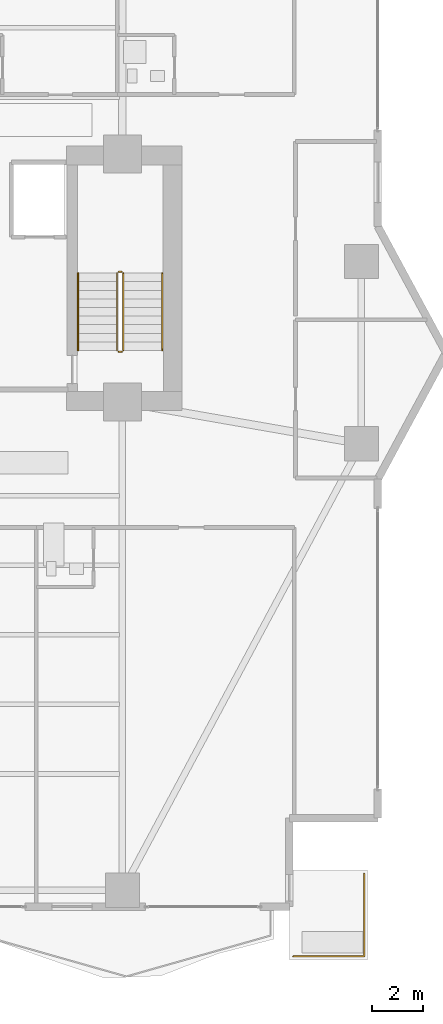
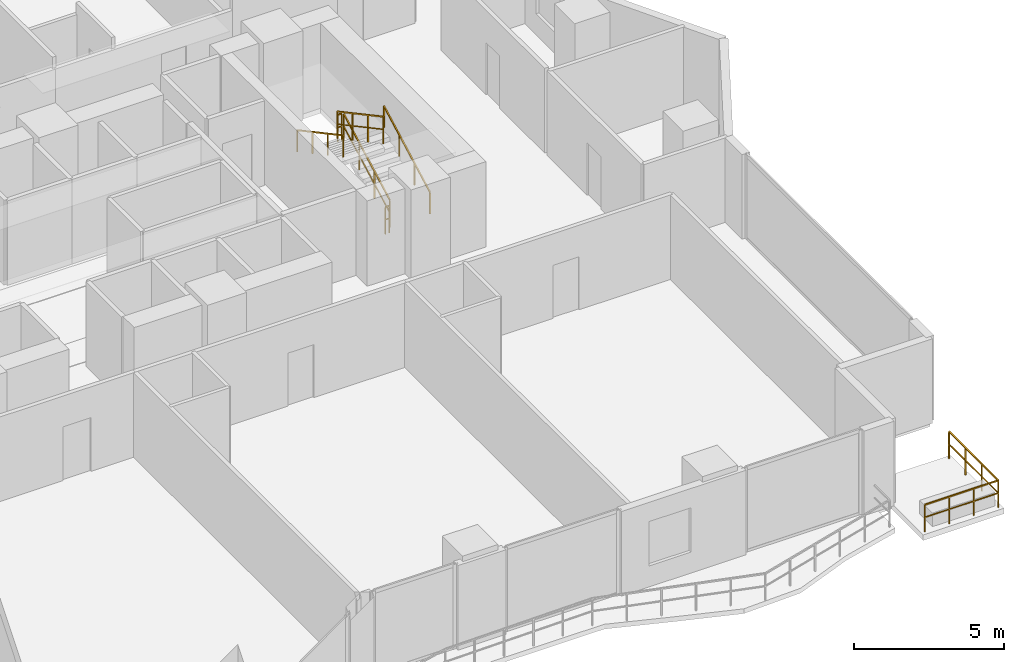
# One storey, part 27 of 29: 7 railings.
"""IFC4 building model written with IfcOpenShell, lengths in metres."""

from ifc_helpers import new_model, si_unit, direction, frame, origin, origin_2d, place, context, subcontext, project, spatial, rectangle, extrude, material, type_object, element, save


model = new_model("IFC4")

# Units and contexts
model_context = context("Model", 3, precision=1e-05, world=origin(), true_north=direction((0.0, 1.0)))
body_context = subcontext(model_context, "Body", "Model", "MODEL_VIEW")
ifc_project = project(units=[si_unit("LENGTHUNIT", "METRE"), si_unit("AREAUNIT", "SQUARE_METRE"), si_unit("VOLUMEUNIT", "CUBIC_METRE"), si_unit("PLANEANGLEUNIT", "RADIAN"), si_unit("MASSUNIT", "GRAM", prefix="KILO")], contexts=[model_context])

# Site, building, storey
site_placement = place(None, origin())
site = spatial("IfcSite", under=ifc_project, at=site_placement, CompositionType="ELEMENT")
building_placement = place(site_placement, origin())
building = spatial("IfcBuilding", under=site, at=building_placement, Name="Zuhayl Quay Hotel", CompositionType="ELEMENT")
storey_placement = place(building_placement, frame((0.0, 0.0, 132.14990234375)))
storey = spatial("IfcBuildingStorey", under=building, at=storey_placement, Name="L33", CompositionType="ELEMENT", Elevation=132.14990234375)

# Railings
ifc_material_1 = material(Name="Anodised Aluminium and Laminated Glass", Category="aluminium")
railing_type_1 = type_object("IfcRailingType", Name="RL_EXT_BAL_1100", PredefinedType="BALUSTRADE", material=ifc_material_1)
railing_1_placement = place(storey_placement, frame((20.5400390625, -17.360107421875, 0.0)))
element("IfcRailing", 1, at=railing_1_placement, inside=storey, type_object=railing_type_1, Name="L33 Balcony and Terrace Guard GR_L33_SPIRAL_SE", PredefinedType="BALUSTRADE", context=body_context, shape_type="SweptSolid", body=[
    extrude(rectangle(XDim=0.048095703125, YDim=0.048095703125, at=origin_2d()), frame((0.0, 0.0, 1.09619140625), z_axis=(1.0, 0.0, 0.0), x_axis=(0.0, 1.0, 0.0)), (0.0, 0.0, 1.0), 2.820068359375),
    extrude(rectangle(XDim=0.0361328125, YDim=0.0361328125, at=origin_2d()), frame((0.0, 0.0, 0.58251953125), z_axis=(1.0, 0.0, 0.0), x_axis=(0.0, 1.0, 0.0)), (0.0, 0.0, 1.0), 2.820068359375),
    extrude(rectangle(XDim=0.048095703125, YDim=0.048095703125, at=origin_2d()), frame((2.820068359375, 0.0, 1.09619140625), z_axis=(0.0, 1.0, 0.0), x_axis=(-1.0, 0.0, 0.0)), (0.0, 0.0, 1.0), 3.27001953125),
    extrude(rectangle(XDim=0.0361328125, YDim=0.0361328125, at=origin_2d()), frame((2.820068359375, 0.0, 0.58251953125), z_axis=(0.0, 1.0, 0.0), x_axis=(-1.0, 0.0, 0.0)), (0.0, 0.0, 1.0), 3.27001953125),
    extrude(rectangle(XDim=0.0419921875, YDim=0.0419921875, at=origin_2d()), origin(), (0.0, 0.0, 1.0), 1.072021484375),
    extrude(rectangle(XDim=0.0419921875, YDim=0.0419921875, at=origin_2d()), frame((0.93994140625, 0.0, 0.0)), (0.0, 0.0, 1.0), 1.072021484375),
    extrude(rectangle(XDim=0.0419921875, YDim=0.0419921875, at=origin_2d()), frame((1.880126953125, 0.0, 0.0)), (0.0, 0.0, 1.0), 1.072021484375),
    extrude(rectangle(XDim=0.0419921875, YDim=0.0419921875, at=origin_2d()), frame((2.820068359375, 0.0, 0.0)), (0.0, 0.0, 1.0), 1.072021484375),
    extrude(rectangle(XDim=0.0419921875, YDim=0.0419921875, at=origin_2d()), frame((2.820068359375, 1.090087890625, 0.0)), (0.0, 0.0, 1.0), 1.072021484375),
    extrude(rectangle(XDim=0.0419921875, YDim=0.0419921875, at=origin_2d()), frame((2.820068359375, 2.179931640625, 0.0)), (0.0, 0.0, 1.0), 1.072021484375),
    extrude(rectangle(XDim=0.0419921875, YDim=0.0419921875, at=origin_2d()), frame((2.820068359375, 3.27001953125, 0.0)), (0.0, 0.0, 1.0), 1.072021484375),
])
ifc_material_2 = material(Name="Steel ASTM A992 Grade 50", Category="steel")
railing_type_2 = type_object("IfcRailingType", Name="RL_GUARD_1100", PredefinedType="GUARDRAIL", material=ifc_material_2)
railing_2_placement = place(storey_placement, frame((13.840087890625, 6.590087890625, 0.1826171875)))
element("IfcRailing", 2, at=railing_2_placement, inside=storey, type_object=railing_type_2, Name="L33 ST2 stair guard 1", PredefinedType="GUARDRAIL", context=body_context, shape_type="SweptSolid", body=[
    extrude(rectangle(XDim=0.048095703125, YDim=0.048095703125, at=origin_2d()), frame((0.0, 0.0, 1.09619140625), z_axis=(0.0, 0.88107310026, 0.472980117973), x_axis=(-1.0, 0.0, 0.0)), (0.0, 0.0, 1.0), 3.472900390625),
    extrude(rectangle(XDim=0.0361328125, YDim=0.0361328125, at=origin_2d()), frame((0.0, 0.0, 0.58251953125), z_axis=(0.0, 0.88107310026, 0.472980117973), x_axis=(-1.0, 0.0, 0.0)), (0.0, 0.0, 1.0), 3.472900390625),
    extrude(rectangle(XDim=0.0419921875, YDim=0.0419921875, at=origin_2d()), origin(), (0.0, 0.0, 1.0), 1.072021484375),
    extrude(rectangle(XDim=0.0419921875, YDim=0.0419921875, at=origin_2d()), frame((0.0, 1.02001953125, 0.547607421875)), (0.0, 0.0, 1.0), 1.072021484375),
    extrude(rectangle(XDim=0.0419921875, YDim=0.0419921875, at=origin_2d()), frame((0.0, 2.039794921875, 1.094970703125)), (0.0, 0.0, 1.0), 1.072021484375),
    extrude(rectangle(XDim=0.0419921875, YDim=0.0419921875, at=origin_2d()), frame((0.0, 3.059814453125, 1.642578125)), (0.0, 0.0, 1.0), 1.072021484375),
])
railing_3_placement = place(storey_placement, frame((13.7900390625, 9.699951171875, 1.8251953125)))
element("IfcRailing", 3, at=railing_3_placement, inside=storey, type_object=railing_type_2, Name="L33 ST2 stair guard 2", PredefinedType="GUARDRAIL", context=body_context, shape_type="SweptSolid", body=[
    extrude(rectangle(XDim=0.048095703125, YDim=0.048095703125, at=origin_2d()), frame((0.0, 0.0, 1.09619140625), z_axis=(-1.0, 0.0, 0.0), x_axis=(0.0, -1.0, 0.0)), (0.0, 0.0, 1.0), 0.150146484375),
    extrude(rectangle(XDim=0.0361328125, YDim=0.0361328125, at=origin_2d()), frame((0.0, 0.0, 0.58251953125), z_axis=(-1.0, 0.0, 0.0), x_axis=(0.0, -1.0, 0.0)), (0.0, 0.0, 1.0), 0.150146484375),
    extrude(rectangle(XDim=0.0419921875, YDim=0.0419921875, at=origin_2d()), origin(), (0.0, 0.0, 1.0), 1.072021484375),
    extrude(rectangle(XDim=0.0419921875, YDim=0.0419921875, at=origin_2d()), frame((-0.150146484375, 0.0, 0.0)), (0.0, 0.0, 1.0), 1.072021484375),
])
railing_4_placement = place(storey_placement, frame((13.590087890625, 9.64990234375, 2.007568359375)))
element("IfcRailing", 4, at=railing_4_placement, inside=storey, type_object=railing_type_2, Name="L33 ST2 stair guard 3", PredefinedType="GUARDRAIL", context=body_context, shape_type="SweptSolid", body=[
    extrude(rectangle(XDim=0.048095703125, YDim=0.048095703125, at=origin_2d()), frame((0.0, 0.0, 1.09619140625), z_axis=(0.0, -0.88107310026, 0.472980117973), x_axis=(1.0, 0.0, 0.0)), (0.0, 0.0, 1.0), 3.472900390625),
    extrude(rectangle(XDim=0.0361328125, YDim=0.0361328125, at=origin_2d()), frame((0.0, 0.0, 0.58251953125), z_axis=(0.0, -0.88107310026, 0.472980117973), x_axis=(1.0, 0.0, 0.0)), (0.0, 0.0, 1.0), 3.472900390625),
    extrude(rectangle(XDim=0.0419921875, YDim=0.0419921875, at=origin_2d()), origin(), (0.0, 0.0, 1.0), 1.072021484375),
    extrude(rectangle(XDim=0.0419921875, YDim=0.0419921875, at=origin_2d()), frame((0.0, -1.02001953125, 0.547607421875)), (0.0, 0.0, 1.0), 1.072021484375),
    extrude(rectangle(XDim=0.0419921875, YDim=0.0419921875, at=origin_2d()), frame((0.0, -2.039794921875, 1.094970703125)), (0.0, 0.0, 1.0), 1.072021484375),
    extrude(rectangle(XDim=0.0419921875, YDim=0.0419921875, at=origin_2d()), frame((0.0, -3.059814453125, 1.642578125)), (0.0, 0.0, 1.0), 1.072021484375),
])
railing_5_placement = place(storey_placement, frame((13.7900390625, 6.5400390625, 0.0)))
element("IfcRailing", 5, at=railing_5_placement, inside=storey, type_object=railing_type_2, Name="L33 ST2 stair guard 4", PredefinedType="GUARDRAIL", context=body_context, shape_type="SweptSolid", body=[
    extrude(rectangle(XDim=0.048095703125, YDim=0.048095703125, at=origin_2d()), frame((0.0, 0.0, 1.09619140625), z_axis=(-1.0, 0.0, 0.0), x_axis=(0.0, -1.0, 0.0)), (0.0, 0.0, 1.0), 0.150146484375),
    extrude(rectangle(XDim=0.0361328125, YDim=0.0361328125, at=origin_2d()), frame((0.0, 0.0, 0.58251953125), z_axis=(-1.0, 0.0, 0.0), x_axis=(0.0, -1.0, 0.0)), (0.0, 0.0, 1.0), 0.150146484375),
    extrude(rectangle(XDim=0.0419921875, YDim=0.0419921875, at=origin_2d()), origin(), (0.0, 0.0, 1.0), 1.072021484375),
    extrude(rectangle(XDim=0.0419921875, YDim=0.0419921875, at=origin_2d()), frame((-0.150146484375, 0.0, 0.0)), (0.0, 0.0, 1.0), 1.072021484375),
])
railing_type_3 = type_object("IfcRailingType", Name="RL_HANDRAIL_920", PredefinedType="HANDRAIL", material=ifc_material_2)
railing_6_placement = place(storey_placement, frame((15.3798828125, 6.590087890625, 0.1826171875)))
element("IfcRailing", 6, at=railing_6_placement, inside=storey, type_object=railing_type_3, Name="L33 ST2 stair handrail 1", PredefinedType="HANDRAIL", context=body_context, shape_type="SweptSolid", body=[
    extrude(rectangle(XDim=0.048095703125, YDim=0.048095703125, at=origin_2d()), frame((0.0, 0.0, 0.8759765625), z_axis=(0.0, 0.88107310026, 0.472980117973), x_axis=(-1.0, 0.0, 0.0)), (0.0, 0.0, 1.0), 3.472900390625),
    extrude(rectangle(XDim=0.0419921875, YDim=0.0419921875, at=origin_2d()), origin(), (0.0, 0.0, 1.0), 0.851806640625),
    extrude(rectangle(XDim=0.0419921875, YDim=0.0419921875, at=origin_2d()), frame((0.0, 1.02001953125, 0.547607421875)), (0.0, 0.0, 1.0), 0.851806640625),
    extrude(rectangle(XDim=0.0419921875, YDim=0.0419921875, at=origin_2d()), frame((0.0, 2.039794921875, 1.094970703125)), (0.0, 0.0, 1.0), 0.851806640625),
    extrude(rectangle(XDim=0.0419921875, YDim=0.0419921875, at=origin_2d()), frame((0.0, 3.059814453125, 1.642578125)), (0.0, 0.0, 1.0), 0.851806640625),
])
railing_7_placement = place(storey_placement, frame((12.050048828125, 9.64990234375, 2.007568359375)))
element("IfcRailing", 7, at=railing_7_placement, inside=storey, type_object=railing_type_3, Name="L33 ST2 stair handrail 2", PredefinedType="HANDRAIL", context=body_context, shape_type="SweptSolid", body=[
    extrude(rectangle(XDim=0.048095703125, YDim=0.048095703125, at=origin_2d()), frame((0.0, 0.0, 0.8759765625), z_axis=(0.0, -0.88107310026, 0.472980117973), x_axis=(1.0, 0.0, 0.0)), (0.0, 0.0, 1.0), 3.472900390625),
    extrude(rectangle(XDim=0.0419921875, YDim=0.0419921875, at=origin_2d()), origin(), (0.0, 0.0, 1.0), 0.851806640625),
    extrude(rectangle(XDim=0.0419921875, YDim=0.0419921875, at=origin_2d()), frame((0.0, -1.02001953125, 0.547607421875)), (0.0, 0.0, 1.0), 0.851806640625),
    extrude(rectangle(XDim=0.0419921875, YDim=0.0419921875, at=origin_2d()), frame((0.0, -2.039794921875, 1.094970703125)), (0.0, 0.0, 1.0), 0.851806640625),
    extrude(rectangle(XDim=0.0419921875, YDim=0.0419921875, at=origin_2d()), frame((0.0, -3.059814453125, 1.642578125)), (0.0, 0.0, 1.0), 0.851806640625),
])

save(model, "model.ifc")
